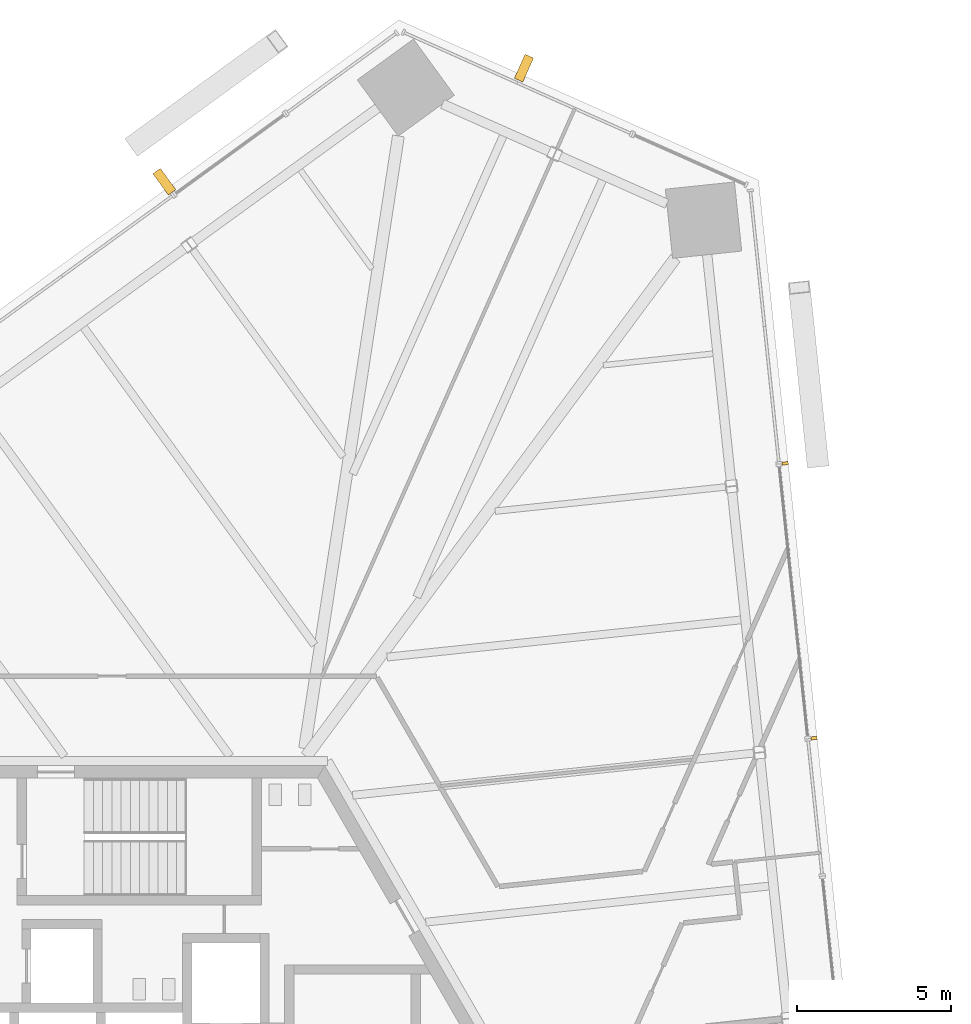
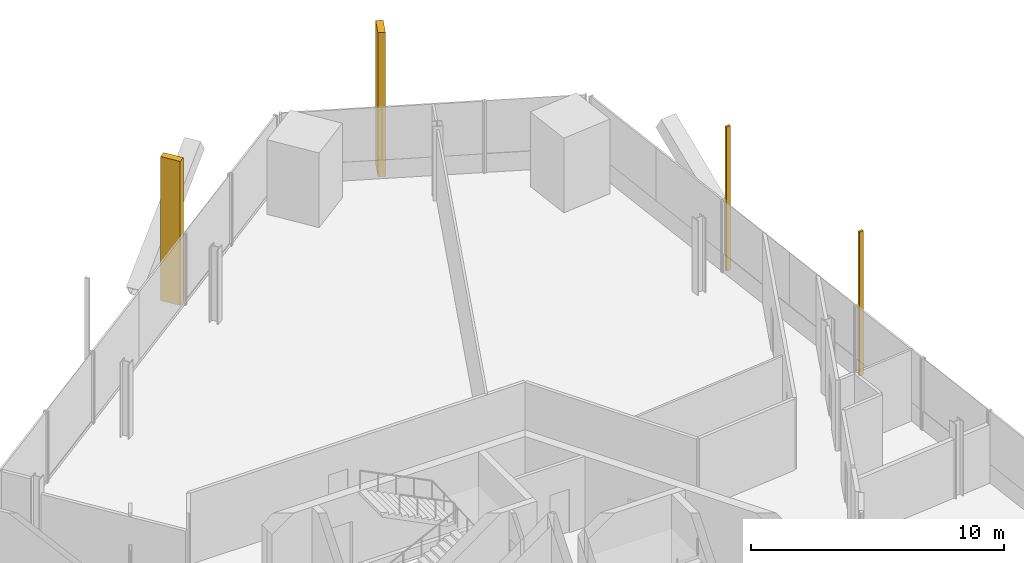
# One storey, part 18 of 21: 4 shading devices.
"""IFC4 building model written with IfcOpenShell, lengths in metres."""

from ifc_helpers import new_model, si_unit, direction, frame, origin, origin_2d, place, context, subcontext, project, spatial, rectangle, extrude, source, transform, mapped, material, element, save


model = new_model("IFC4")

# Units and contexts
model_context = context("Model", 3, precision=1e-05, world=origin(), true_north=direction((0.0, 1.0)))
body_context = subcontext(model_context, "Body", "Model", "MODEL_VIEW")
ifc_project = project(units=[si_unit("LENGTHUNIT", "METRE"), si_unit("AREAUNIT", "SQUARE_METRE"), si_unit("VOLUMEUNIT", "CUBIC_METRE"), si_unit("PLANEANGLEUNIT", "RADIAN"), si_unit("MASSUNIT", "GRAM", prefix="KILO")], contexts=[model_context])

# Site, building, storey
site_placement = place(None, origin())
site = spatial("IfcSite", under=ifc_project, at=site_placement, CompositionType="ELEMENT")
building_placement = place(site_placement, origin())
building = spatial("IfcBuilding", under=site, at=building_placement, Name="Triune Harvest Tower", CompositionType="ELEMENT")
storey_placement = place(building_placement, frame((0.0, 0.0, 87.300048828125)))
storey = spatial("IfcBuildingStorey", under=building, at=storey_placement, Name="L21", CompositionType="ELEMENT", Elevation=87.300048828125)

# Shading devices
ifc_material = material(Name="Aluminium bronze anodised", Category="aluminium")
shared_shape_1 = source(origin(), body_context, "Body", "SweptSolid", [
    extrude(rectangle(XDim=0.300048828125, YDim=0.85009765625, at=origin_2d()), origin(), (0.0, 0.0, 1.0), 6.949951171875),
])
for number, where, z_axis, x_axis, name in (
    (1, (12.448974609375, 32.968505859375, 0.0), (0.0, 0.0, 1.0), (-0.913546644034, 0.406733978386, 0.0), "FN-2 fin B2-F2.3 L21"),
    (2, (0.81103515625, 29.294189453125, 0.0), (0.0, 0.0, 1.0), (-0.809017013446, -0.587785226043, 0.0), "FN-2 fin B2-F3.3 L21"),
):
    element("IfcShadingDevice", number, at=place(storey_placement, frame(where, z_axis=z_axis, x_axis=x_axis)), inside=storey, material=ifc_material, Name=name, ObjectType="FIN", PredefinedType="USERDEFINED", context=body_context, shape_type="MappedRepresentation", body=[
        mapped(shared_shape_1, transform((0.0, 0.0, 0.0), scale=1.0)),
    ])
shared_shape_2 = source(origin(), body_context, "Body", "SweptSolid", [
    extrude(rectangle(XDim=0.10009765625, YDim=0.199951171875, at=origin_2d()), origin(), (0.0, 0.0, 1.0), 6.949951171875),
])
for number, where, z_axis, x_axis, name in (
    (3, (21.837646484375, 11.28564453125, 0.0), (0.0, 0.0, 1.0), (-0.104527536558, 0.994521992769, 0.0), "FN-1 fin B2-F1.9 L21"),
    (4, (20.903076171875, 20.177734375, 0.0), (0.0, 0.0, 1.0), (-0.104527536558, 0.994521992769, 0.0), "FN-1 fin B2-F1.11 L21"),
):
    element("IfcShadingDevice", number, at=place(storey_placement, frame(where, z_axis=z_axis, x_axis=x_axis)), inside=storey, material=ifc_material, Name=name, ObjectType="FIN", PredefinedType="USERDEFINED", context=body_context, shape_type="MappedRepresentation", body=[
        mapped(shared_shape_2, transform((0.0, 0.0, 0.0), scale=1.0)),
    ])

save(model, "model.ifc")
